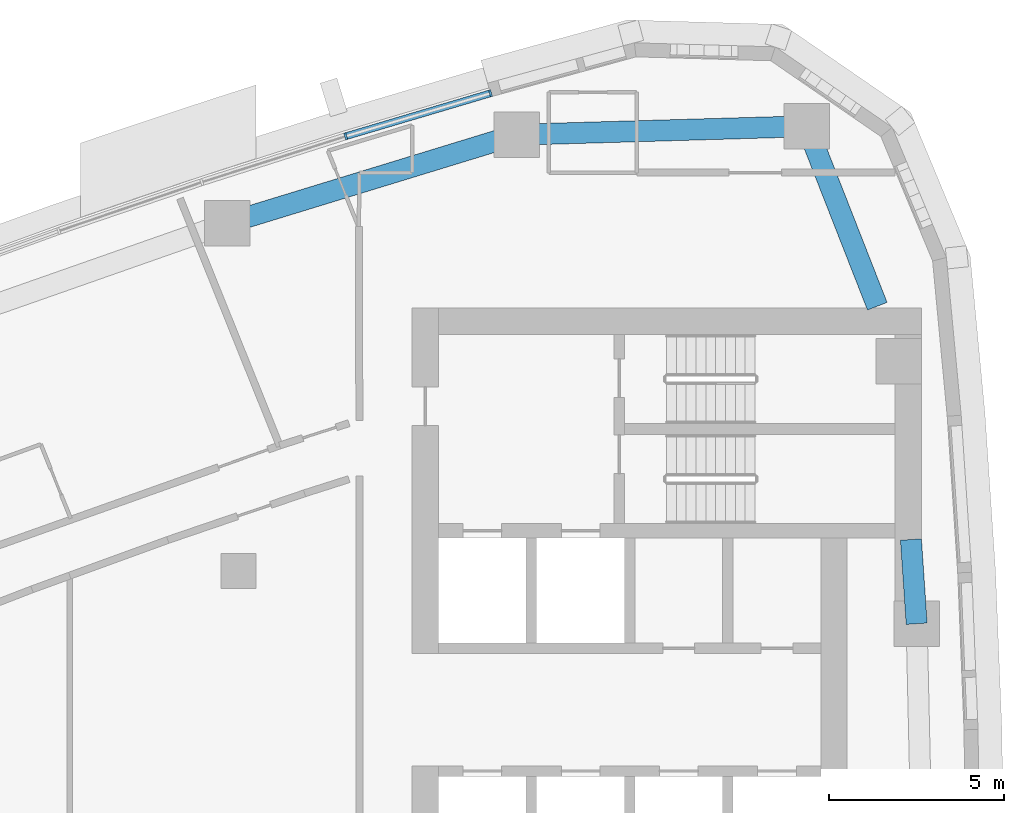
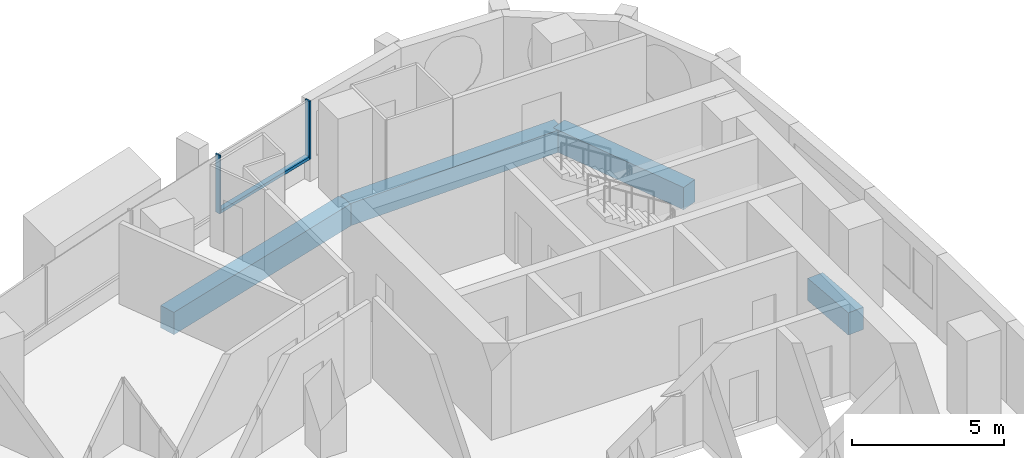
# One storey, part 7 of 17: 4 beams, 3 members, 1 element without a shape of its own.
"""IFC4 building model written with IfcOpenShell, lengths in metres."""

from ifc_helpers import new_model, si_unit, direction, frame, origin, origin_2d, place, context, subcontext, project, spatial, rectangle, extrude, material, layer, layer_set, material_profile, profile_set, type_object, element, aggregate, save


model = new_model("IFC4")

# Units and contexts
model_context = context("Model", 3, precision=1e-05, world=origin(), true_north=direction((0.0, 1.0)))
body_context = subcontext(model_context, "Body", "Model", "MODEL_VIEW")
ifc_project = project(units=[si_unit("LENGTHUNIT", "METRE"), si_unit("AREAUNIT", "SQUARE_METRE"), si_unit("VOLUMEUNIT", "CUBIC_METRE"), si_unit("PLANEANGLEUNIT", "RADIAN"), si_unit("MASSUNIT", "GRAM", prefix="KILO")], contexts=[model_context])

# Site, building, storey
site_placement = place(None, origin())
site = spatial("IfcSite", under=ifc_project, at=site_placement, CompositionType="ELEMENT")
building_placement = place(site_placement, origin())
building = spatial("IfcBuilding", under=site, at=building_placement, Name="Ostrand Prow Hotel Tower", CompositionType="ELEMENT")
storey_placement = place(building_placement, frame((0.0, 0.0, 196.800048828125)))
storey = spatial("IfcBuildingStorey", under=building, at=storey_placement, Name="L49", CompositionType="ELEMENT", Elevation=196.800048828125)

# Beams
ifc_material_1 = material(Name="Concrete C60/75", Category="concrete")
ifc_material_profile_1 = material_profile(ifc_material_1, rectangle(XDim=0.60009765625, YDim=0.89990234375, at=origin_2d()), Name="RC 600x900")
ifc_profile_set_1 = profile_set([ifc_material_profile_1], Name="Concrete C60/75")
beam_type = type_object("IfcBeamType", Name="Edge beam 600x900 C60/75", PredefinedType="SPANDREL", material=ifc_profile_set_1)
beam_1_placement = place(storey_placement, frame((64.330322265625, 7.499267578125, -0.75), z_axis=(-0.067778284608, 0.997700408006, 0.0), x_axis=(-0.997700408006, -0.067778284608, 0.0)))
element("IfcBeam", 1, at=beam_1_placement, inside=storey, type_object=beam_type, Name="Edge beam B4-B5", PredefinedType="SPANDREL", context=body_context, shape_type="SweptSolid", body=[
    extrude(rectangle(XDim=0.60009765625, YDim=0.89990234375, at=origin_2d()), origin(), (0.0, 0.0, 1.0), 2.40625),
])
beam_2_placement = place(storey_placement, frame((63.2080078125, 16.550048828125, -0.75), z_axis=(-0.364802049817, 0.931085100541, 0.0), x_axis=(-0.931085100541, -0.364802049817, 0.0)))
element("IfcBeam", 2, at=beam_2_placement, inside=storey, type_object=beam_type, Name="Edge beam B5-NE", PredefinedType="SPANDREL", context=body_context, shape_type="SweptSolid", body=[
    extrude(rectangle(XDim=0.60009765625, YDim=0.89990234375, at=origin_2d()), origin(), (0.0, 0.0, 1.0), 5.508544921875),
])
beam_3_placement = place(storey_placement, frame((61.198486328125, 21.678955078125, -0.75), z_axis=(-0.999575901438, -0.029120735993, 0.0), x_axis=(0.029120735993, -0.999575901438, 0.0)))
element("IfcBeam", 3, at=beam_3_placement, inside=storey, type_object=beam_type, Name="Edge beam NE-N1", PredefinedType="SPANDREL", context=body_context, shape_type="SweptSolid", body=[
    extrude(rectangle(XDim=0.60009765625, YDim=0.89990234375, at=origin_2d()), origin(), (0.0, 0.0, 1.0), 8.274658203125),
])
beam_4_placement = place(storey_placement, frame((52.92724609375, 21.43798828125, -0.75), z_axis=(-0.956245556413, -0.292565267659, 0.0), x_axis=(0.292565267659, -0.956245556413, 0.0)))
element("IfcBeam", 4, at=beam_4_placement, inside=storey, type_object=beam_type, Name="Edge beam N1-N2", PredefinedType="SPANDREL", context=body_context, shape_type="SweptSolid", body=[
    extrude(rectangle(XDim=0.60009765625, YDim=0.89990234375, at=origin_2d()), origin(), (0.0, 0.0, 1.0), 8.621826171875),
])

# Curtain wall, members
ifc_material_2 = material(Name="Insulated glass in bronze anodised frame", Category="glass")
ifc_layer = layer(ifc_material_2, 0.199951171875)
ifc_layer_set = layer_set([ifc_layer], Name="Insulated glass in bronze anodised frame")
curtain_wall_type = type_object("IfcCurtainWallType", Name="Strip curtain wall, fritted glass over bronze spandrel", PredefinedType="NOTDEFINED", material=ifc_layer_set)
curtain_wall_placement = place(storey_placement, origin())
curtain_wall = element("IfcCurtainWall", 5, at=curtain_wall_placement, inside=storey, type_object=curtain_wall_type, Name="CW1 run CWN1", PredefinedType="NOTDEFINED")
ifc_material_3 = material(Name="Bronze anodised aluminium", Category="aluminium")
ifc_material_profile_2 = material_profile(ifc_material_3, rectangle(XDim=0.199951171875, YDim=0.06005859375, at=origin_2d()), Name="Mullion 60x200 bronze anodised aluminium")
ifc_profile_set_2 = profile_set([ifc_material_profile_2], Name="Bronze anodised aluminium")
member_type_1 = type_object("IfcMemberType", Name="Mullion 60x200 bronze anodised aluminium", PredefinedType="MULLION", material=ifc_profile_set_2)
member_1_placement = place(storey_placement, frame((52.182373046875, 22.619384765625, 0.89990234375), z_axis=(0.0, 0.0, 1.0), x_axis=(0.284544113619, -0.958662947758, 0.0)))
member_1 = element("IfcMember", 6, at=member_1_placement, type_object=member_type_1, Name="CW1 mullion 1", PredefinedType="MULLION", context=body_context, shape_type="SweptSolid", body=[
    extrude(rectangle(XDim=0.199951171875, YDim=0.06005859375, at=origin_2d()), origin(), (0.0, 0.0, 1.0), 2.35009765625),
])
member_2_placement = place(storey_placement, frame((48.055419921875, 21.39453125, 0.89990234375), z_axis=(0.0, 0.0, 1.0), x_axis=(0.303786970008, -0.952739983864, 0.0)))
member_2 = element("IfcMember", 7, at=member_2_placement, type_object=member_type_1, Name="CW1 mullion 2", PredefinedType="MULLION", context=body_context, shape_type="SweptSolid", body=[
    extrude(rectangle(XDim=0.199951171875, YDim=0.06005859375, at=origin_2d()), origin(), (0.0, 0.0, 1.0), 2.35009765625),
])
ifc_material_4 = material(Name="Bronze anodised aluminium", Category="aluminium")
ifc_material_profile_3 = material_profile(ifc_material_4, rectangle(XDim=0.199951171875, YDim=0.1201171875, at=origin_2d()), Name="Transom 120x200 bronze anodised aluminium")
ifc_profile_set_3 = profile_set([ifc_material_profile_3], Name="Bronze anodised aluminium")
member_type_2 = type_object("IfcMemberType", Name="Transom 120x200 bronze anodised aluminium", PredefinedType="USERDEFINED", material=ifc_profile_set_3)
member_3_placement = place(storey_placement, frame((52.15380859375, 22.611083984375, 0.9599609375), z_axis=(-0.958661084062, -0.284550392558, 0.0), x_axis=(0.284550392558, -0.958661084062, 0.0)))
member_3 = element("IfcMember", 8, at=member_3_placement, type_object=member_type_2, Name="CW1 transom 1.1", ObjectType="TRANSOM", PredefinedType="USERDEFINED", context=body_context, shape_type="SweptSolid", body=[
    extrude(rectangle(XDim=0.199951171875, YDim=0.1201171875, at=origin_2d()), origin(), (0.0, 0.0, 1.0), 4.245361328125),
])
aggregate(curtain_wall, [member_1, member_2, member_3])

save(model, "model.ifc")
